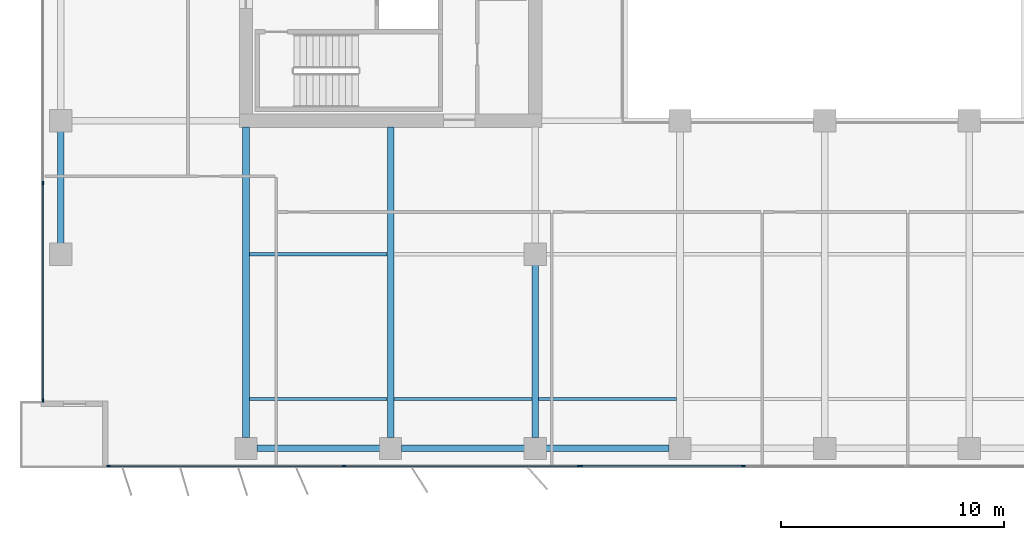
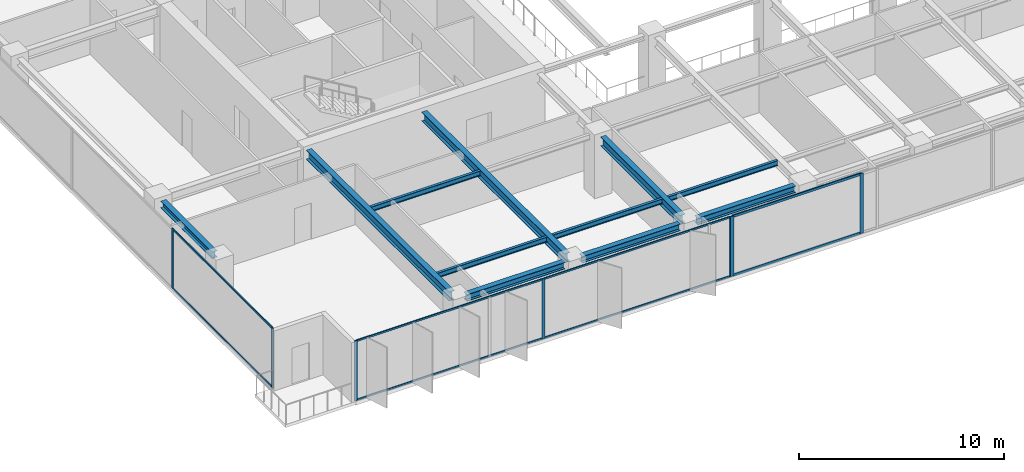
# One storey, part 2 of 22: 15 members, 11 beams, 3 elements without a shape of their own.
"""IFC4 building model written with IfcOpenShell, lengths in metres."""

from ifc_helpers import new_model, si_unit, direction, frame, origin, origin_2d, place, context, subcontext, project, spatial, rectangle, i_section, extrude, material, layer, layer_set, material_profile, profile_set, type_object, element, aggregate, save


model = new_model("IFC4")

# Units and contexts
model_context = context("Model", 3, precision=1e-05, world=origin(), true_north=direction((0.0, 1.0)))
body_context = subcontext(model_context, "Body", "Model", "MODEL_VIEW")
ifc_project = project(units=[si_unit("LENGTHUNIT", "METRE"), si_unit("AREAUNIT", "SQUARE_METRE"), si_unit("VOLUMEUNIT", "CUBIC_METRE"), si_unit("PLANEANGLEUNIT", "RADIAN"), si_unit("MASSUNIT", "GRAM", prefix="KILO")], contexts=[model_context])

# Site, building, storey
site_placement = place(None, origin())
site = spatial("IfcSite", under=ifc_project, at=site_placement, CompositionType="ELEMENT")
building_placement = place(site_placement, origin())
building = spatial("IfcBuilding", under=site, at=building_placement, Name="Putna Gate Headquarters", CompositionType="ELEMENT")
storey_placement = place(building_placement, frame((0.0, 0.0, 167.0)))
storey = spatial("IfcBuildingStorey", under=building, at=storey_placement, Name="L41", CompositionType="ELEMENT", Elevation=167.0)

# Beams
ifc_material_1 = material(Name="Steel S355J2", Category="steel")
ifc_material_profile_1 = material_profile(ifc_material_1, i_section(OverallWidth=0.300048828125, OverallDepth=0.550048828125, WebThickness=0.014892578125, FlangeThickness=0.029052734375, at=origin_2d()), Name="Steel S355J2")
ifc_profile_set_1 = profile_set([ifc_material_profile_1], Name="Steel S355J2")
beam_type_1 = type_object("IfcBeamType", Name="BM-GIRD-Z3-HEB550", PredefinedType="USERDEFINED", material=ifc_profile_set_1)
for number, where, z_axis, x_axis, name in (
    (1, (13.0, 4.76806640625, 3.297119140625), (0.0, 1.0, 0.0), (-1.0, 0.0, 0.0), "L41 South Primary Girder X13"),
    (2, (19.5, 4.76806640625, 3.297119140625), (0.0, 1.0, 0.0), (-1.0, 0.0, 0.0), "L41 South Primary Girder X19"),
):
    element("IfcBeam", number, at=place(storey_placement, frame(where, z_axis=z_axis, x_axis=x_axis)), inside=storey, type_object=beam_type_1, Name=name, ObjectType="GIRDER", PredefinedType="USERDEFINED", context=body_context, shape_type="SweptSolid", body=[
        extrude(i_section(OverallWidth=0.300048828125, OverallDepth=0.550048828125, WebThickness=0.014892578125, FlangeThickness=0.029052734375, at=origin_2d()), origin(), (0.0, 0.0, 1.0), 13.947021484375),
    ])
beam_1_placement = place(storey_placement, frame((26.0, 4.76806640625, 3.297119140625), z_axis=(0.0, 1.0, 0.0), x_axis=(-1.0, 0.0, 0.0)))
element("IfcBeam", 3, at=beam_1_placement, inside=storey, type_object=beam_type_1, Name="L41 South Primary Girder X26-1", ObjectType="GIRDER", PredefinedType="USERDEFINED", context=body_context, shape_type="SweptSolid", body=[
    extrude(i_section(OverallWidth=0.300048828125, OverallDepth=0.550048828125, WebThickness=0.014892578125, FlangeThickness=0.029052734375, at=origin_2d()), origin(), (0.0, 0.0, 1.0), 7.743896484375),
])
ifc_material_profile_2 = material_profile(ifc_material_1, i_section(OverallWidth=0.14990234375, OverallDepth=0.300048828125, WebThickness=0.007080078125, FlangeThickness=0.0107421875, at=origin_2d()), Name="Steel S355J2")
ifc_profile_set_2 = profile_set([ifc_material_profile_2], Name="Steel S355J2")
beam_type_2 = type_object("IfcBeamType", Name="BM-SEC-Z3-IPE300", PredefinedType="JOIST", material=ifc_profile_set_2)
for number, where, z_axis, x_axis, name in (
    (4, (13.154052734375, 6.5, 3.422119140625), (1.0, 0.0, 0.0), (0.0, 1.0, 0.0), "L41 South Secondary Beam 1"),
    (5, (13.154052734375, 13.0, 3.422119140625), (1.0, 0.0, 0.0), (0.0, 1.0, 0.0), "L41 South Secondary Beam 1"),
    (6, (19.654052734375, 6.5, 3.422119140625), (1.0, 0.0, 0.0), (0.0, 1.0, 0.0), "L41 South Secondary Beam 2"),
    (7, (26.154052734375, 6.5, 3.422119140625), (1.0, 0.0, 0.0), (0.0, 1.0, 0.0), "L41 South Secondary Beam 3"),
):
    element("IfcBeam", number, at=place(storey_placement, frame(where, z_axis=z_axis, x_axis=x_axis)), inside=storey, type_object=beam_type_2, Name=name, PredefinedType="JOIST", context=body_context, shape_type="SweptSolid", body=[
        extrude(i_section(OverallWidth=0.14990234375, OverallDepth=0.300048828125, WebThickness=0.007080078125, FlangeThickness=0.0107421875, at=origin_2d()), origin(), (0.0, 0.0, 1.0), 6.19189453125),
    ])
ifc_material_profile_3 = material_profile(ifc_material_1, i_section(OverallWidth=0.300048828125, OverallDepth=0.39990234375, WebThickness=0.013427734375, FlangeThickness=0.02392578125, at=origin_2d()), Name="Steel S355J2")
ifc_profile_set_3 = profile_set([ifc_material_profile_3], Name="Steel S355J2")
beam_type_3 = type_object("IfcBeamType", Name="BM-SPAN-Z3-HEB400", PredefinedType="SPANDREL", material=ifc_profile_set_3)
for number, where, z_axis, x_axis, name in (
    (8, (13.488037109375, 4.280029296875, 3.3720703125), (1.0, 0.0, 0.0), (0.0, 1.0, 0.0), "L41 S Perimeter Spandrel 1"),
    (9, (19.988037109375, 4.280029296875, 3.3720703125), (1.0, 0.0, 0.0), (0.0, 1.0, 0.0), "L41 S Perimeter Spandrel 2"),
    (10, (26.488037109375, 4.280029296875, 3.3720703125), (1.0, 0.0, 0.0), (0.0, 1.0, 0.0), "L41 S Perimeter Spandrel 3"),
):
    element("IfcBeam", number, at=place(storey_placement, frame(where, z_axis=z_axis, x_axis=x_axis)), inside=storey, type_object=beam_type_3, Name=name, PredefinedType="SPANDREL", context=body_context, shape_type="SweptSolid", body=[
        extrude(i_section(OverallWidth=0.300048828125, OverallDepth=0.39990234375, WebThickness=0.013427734375, FlangeThickness=0.02392578125, at=origin_2d()), origin(), (0.0, 0.0, 1.0), 5.52392578125),
    ])
beam_2_placement = place(storey_placement, frame((4.679931640625, 13.488037109375, 3.3720703125), z_axis=(0.0, 1.0, 0.0), x_axis=(-1.0, 0.0, 0.0)))
element("IfcBeam", 11, at=beam_2_placement, inside=storey, type_object=beam_type_3, Name="L41 W End Spandrel 1", PredefinedType="SPANDREL", context=body_context, shape_type="SweptSolid", body=[
    extrude(i_section(OverallWidth=0.300048828125, OverallDepth=0.39990234375, WebThickness=0.013427734375, FlangeThickness=0.02392578125, at=origin_2d()), origin(), (0.0, 0.0, 1.0), 5.02392578125),
])

# Curtain wall, members
ifc_material_2 = material(Name="Anodised bronze aluminium curtain wall", Category="aluminium")
ifc_layer_1 = layer(ifc_material_2, 0.159912109375)
ifc_layer_set_1 = layer_set([ifc_layer_1], Name="Anodised bronze aluminium curtain wall")
curtain_wall_type_1 = type_object("IfcCurtainWallType", Name="CW-SYS-Z3", PredefinedType="USERDEFINED", material=ifc_layer_set_1)
curtain_wall_1_placement = place(storey_placement, origin())
curtain_wall_1 = element("IfcCurtainWall", 12, at=curtain_wall_1_placement, inside=storey, type_object=curtain_wall_type_1, Name="L41 South West Curtain Wall", ObjectType="STICK CURTAIN WALL", PredefinedType="USERDEFINED")
ifc_material_3 = material(Name="Anodised bronze aluminium EN AW-6060", Category="aluminium")
ifc_material_profile_4 = material_profile(ifc_material_3, rectangle(XDim=0.06494140625, YDim=0.159912109375, at=origin_2d()), Name="Anodised bronze aluminium EN AW-6060")
ifc_profile_set_4 = profile_set([ifc_material_profile_4], Name="Anodised bronze aluminium EN AW-6060")
member_type_1 = type_object("IfcMemberType", Name="MULL-CWM-3", PredefinedType="MULLION", material=ifc_profile_set_4)
member_1_placement = place(storey_placement, frame((6.83251953125, 3.47998046875, 0.0), z_axis=(0.0, 0.0, 1.0), x_axis=(0.0, 1.0, 0.0)))
member_1 = element("IfcMember", 13, at=member_1_placement, type_object=member_type_1, Name="CWS-3 mullion 1", PredefinedType="MULLION", context=body_context, shape_type="SweptSolid", body=[
    extrude(rectangle(XDim=0.06494140625, YDim=0.159912109375, at=origin_2d()), origin(), (0.0, 0.0, 1.0), 3.572021484375),
])
member_2_placement = place(storey_placement, frame((17.39990234375, 3.47998046875, 0.0), z_axis=(0.0, 0.0, 1.0), x_axis=(0.0, 1.0, 0.0)))
member_2 = element("IfcMember", 14, at=member_2_placement, type_object=member_type_1, Name="CWS-3 mullion 2", PredefinedType="MULLION", context=body_context, shape_type="SweptSolid", body=[
    extrude(rectangle(XDim=0.06494140625, YDim=0.159912109375, at=origin_2d()), origin(), (0.0, 0.0, 1.0), 3.572021484375),
])
member_3_placement = place(storey_placement, frame((27.967529296875, 3.47998046875, 0.0), z_axis=(0.0, 0.0, 1.0), x_axis=(0.0, 1.0, 0.0)))
member_3 = element("IfcMember", 15, at=member_3_placement, type_object=member_type_1, Name="CWS-3 mullion 3", PredefinedType="MULLION", context=body_context, shape_type="SweptSolid", body=[
    extrude(rectangle(XDim=0.06494140625, YDim=0.159912109375, at=origin_2d()), origin(), (0.0, 0.0, 1.0), 3.572021484375),
])

curtain_wall_2_placement = place(storey_placement, origin())
curtain_wall_2 = element("IfcCurtainWall", 16, at=curtain_wall_2_placement, inside=storey, type_object=curtain_wall_type_1, Name="L41 West Curtain Wall", ObjectType="STICK CURTAIN WALL", PredefinedType="USERDEFINED")
member_4_placement = place(storey_placement, frame((3.8798828125, 6.4326171875, 0.0), z_axis=(0.0, 0.0, 1.0), x_axis=(-1.0, 0.0, 0.0)))
member_4 = element("IfcMember", 17, at=member_4_placement, type_object=member_type_1, Name="CWS-3 mullion 1", PredefinedType="MULLION", context=body_context, shape_type="SweptSolid", body=[
    extrude(rectangle(XDim=0.06494140625, YDim=0.159912109375, at=origin_2d()), origin(), (0.0, 0.0, 1.0), 3.572021484375),
])
member_5_placement = place(storey_placement, frame((3.8798828125, 16.199951171875, 0.0), z_axis=(0.0, 0.0, 1.0), x_axis=(-1.0, 0.0, 0.0)))
member_5 = element("IfcMember", 18, at=member_5_placement, type_object=member_type_1, Name="CWS-3 mullion 2", PredefinedType="MULLION", context=body_context, shape_type="SweptSolid", body=[
    extrude(rectangle(XDim=0.06494140625, YDim=0.159912109375, at=origin_2d()), origin(), (0.0, 0.0, 1.0), 3.572021484375),
])

ifc_layer_2 = layer(ifc_material_2, 0.179931640625)
ifc_layer_set_2 = layer_set([ifc_layer_2], Name="Anodised bronze aluminium curtain wall")
curtain_wall_type_2 = type_object("IfcCurtainWallType", Name="CW-SYS-ATR", PredefinedType="USERDEFINED", material=ifc_layer_set_2)
curtain_wall_3_placement = place(storey_placement, origin())
curtain_wall_3 = element("IfcCurtainWall", 19, at=curtain_wall_3_placement, inside=storey, type_object=curtain_wall_type_2, Name="L41 South Atrium Clear Glazing", ObjectType="ATRIUM GLAZING", PredefinedType="USERDEFINED")
ifc_material_profile_5 = material_profile(ifc_material_3, rectangle(XDim=0.070068359375, YDim=0.179931640625, at=origin_2d()), Name="Anodised bronze aluminium EN AW-6060")
ifc_profile_set_5 = profile_set([ifc_material_profile_5], Name="Anodised bronze aluminium EN AW-6060")
member_type_2 = type_object("IfcMemberType", Name="MULL-CWM-AT", PredefinedType="MULLION", material=ifc_profile_set_5)
member_6_placement = place(storey_placement, frame((28.034912109375, 3.47998046875, 0.0), z_axis=(0.0, 0.0, 1.0), x_axis=(0.0, 1.0, 0.0)))
member_6 = element("IfcMember", 20, at=member_6_placement, type_object=member_type_2, Name="CWS-AT mullion 1", PredefinedType="MULLION", context=body_context, shape_type="SweptSolid", body=[
    extrude(rectangle(XDim=0.070068359375, YDim=0.179931640625, at=origin_2d()), origin(), (0.0, 0.0, 1.0), 3.572021484375),
])
member_7_placement = place(storey_placement, frame((35.333251953125, 3.47998046875, 0.0), z_axis=(0.0, 0.0, 1.0), x_axis=(0.0, 1.0, 0.0)))
member_7 = element("IfcMember", 21, at=member_7_placement, type_object=member_type_2, Name="CWS-AT mullion 2", PredefinedType="MULLION", context=body_context, shape_type="SweptSolid", body=[
    extrude(rectangle(XDim=0.070068359375, YDim=0.179931640625, at=origin_2d()), origin(), (0.0, 0.0, 1.0), 3.572021484375),
])

# Member
ifc_material_profile_6 = material_profile(ifc_material_3, rectangle(XDim=0.06005859375, YDim=0.10009765625, at=origin_2d()), Name="Anodised bronze aluminium EN AW-6060")
ifc_profile_set_6 = profile_set([ifc_material_profile_6], Name="Anodised bronze aluminium EN AW-6060")
member_type_3 = type_object("IfcMemberType", Name="TRAN-CWT-3", PredefinedType="USERDEFINED", material=ifc_profile_set_6)
member_8_placement = place(storey_placement, frame((6.864990234375, 3.47998046875, 0.030029296875), z_axis=(1.0, 0.0, 0.0), x_axis=(0.0, 1.0, 0.0)))
member_8 = element("IfcMember", 22, at=member_8_placement, type_object=member_type_3, Name="CWS-3 transom 1.1", ObjectType="TRANSOM", PredefinedType="USERDEFINED", context=body_context, shape_type="SweptSolid", body=[
    extrude(rectangle(XDim=0.06005859375, YDim=0.10009765625, at=origin_2d()), origin(), (0.0, 0.0, 1.0), 10.50244140625),
])

member_9_placement = place(storey_placement, frame((6.864990234375, 3.47998046875, 3.5419921875), z_axis=(1.0, 0.0, 0.0), x_axis=(0.0, 1.0, 0.0)))
member_9 = element("IfcMember", 23, at=member_9_placement, type_object=member_type_3, Name="CWS-3 transom 1.2", ObjectType="TRANSOM", PredefinedType="USERDEFINED", context=body_context, shape_type="SweptSolid", body=[
    extrude(rectangle(XDim=0.06005859375, YDim=0.10009765625, at=origin_2d()), origin(), (0.0, 0.0, 1.0), 10.50244140625),
])

member_10_placement = place(storey_placement, frame((17.4326171875, 3.47998046875, 0.030029296875), z_axis=(1.0, 0.0, 0.0), x_axis=(0.0, 1.0, 0.0)))
member_10 = element("IfcMember", 24, at=member_10_placement, type_object=member_type_3, Name="CWS-3 transom 2.1", ObjectType="TRANSOM", PredefinedType="USERDEFINED", context=body_context, shape_type="SweptSolid", body=[
    extrude(rectangle(XDim=0.06005859375, YDim=0.10009765625, at=origin_2d()), origin(), (0.0, 0.0, 1.0), 10.50244140625),
])

member_11_placement = place(storey_placement, frame((17.4326171875, 3.47998046875, 3.5419921875), z_axis=(1.0, 0.0, 0.0), x_axis=(0.0, 1.0, 0.0)))
member_11 = element("IfcMember", 25, at=member_11_placement, type_object=member_type_3, Name="CWS-3 transom 2.2", ObjectType="TRANSOM", PredefinedType="USERDEFINED", context=body_context, shape_type="SweptSolid", body=[
    extrude(rectangle(XDim=0.06005859375, YDim=0.10009765625, at=origin_2d()), origin(), (0.0, 0.0, 1.0), 10.50244140625),
])

aggregate(curtain_wall_1, [member_1, member_2, member_3, member_8, member_9, member_10, member_11])

member_12_placement = place(storey_placement, frame((3.8798828125, 6.465087890625, 0.030029296875), z_axis=(0.0, 1.0, 0.0), x_axis=(-1.0, 0.0, 0.0)))
member_12 = element("IfcMember", 26, at=member_12_placement, type_object=member_type_3, Name="CWS-3 transom 1.1", ObjectType="TRANSOM", PredefinedType="USERDEFINED", context=body_context, shape_type="SweptSolid", body=[
    extrude(rectangle(XDim=0.06005859375, YDim=0.10009765625, at=origin_2d()), origin(), (0.0, 0.0, 1.0), 9.702392578125),
])

member_13_placement = place(storey_placement, frame((3.8798828125, 6.465087890625, 3.5419921875), z_axis=(0.0, 1.0, 0.0), x_axis=(-1.0, 0.0, 0.0)))
member_13 = element("IfcMember", 27, at=member_13_placement, type_object=member_type_3, Name="CWS-3 transom 1.2", ObjectType="TRANSOM", PredefinedType="USERDEFINED", context=body_context, shape_type="SweptSolid", body=[
    extrude(rectangle(XDim=0.06005859375, YDim=0.10009765625, at=origin_2d()), origin(), (0.0, 0.0, 1.0), 9.702392578125),
])

aggregate(curtain_wall_2, [member_4, member_5, member_12, member_13])

ifc_material_profile_7 = material_profile(ifc_material_3, rectangle(XDim=0.070068359375, YDim=0.139892578125, at=origin_2d()), Name="Anodised bronze aluminium EN AW-6060")
ifc_profile_set_7 = profile_set([ifc_material_profile_7], Name="Anodised bronze aluminium EN AW-6060")
member_type_4 = type_object("IfcMemberType", Name="TRAN-CWT-AT", PredefinedType="USERDEFINED", material=ifc_profile_set_7)
member_14_placement = place(storey_placement, frame((28.070068359375, 3.47998046875, 0.034912109375), z_axis=(1.0, 0.0, 0.0), x_axis=(0.0, 1.0, 0.0)))
member_14 = element("IfcMember", 28, at=member_14_placement, type_object=member_type_4, Name="CWS-AT transom 1.1", ObjectType="TRANSOM", PredefinedType="USERDEFINED", context=body_context, shape_type="SweptSolid", body=[
    extrude(rectangle(XDim=0.070068359375, YDim=0.139892578125, at=origin_2d()), origin(), (0.0, 0.0, 1.0), 7.228271484375),
])

member_15_placement = place(storey_placement, frame((28.070068359375, 3.47998046875, 3.537109375), z_axis=(1.0, 0.0, 0.0), x_axis=(0.0, 1.0, 0.0)))
member_15 = element("IfcMember", 29, at=member_15_placement, type_object=member_type_4, Name="CWS-AT transom 1.2", ObjectType="TRANSOM", PredefinedType="USERDEFINED", context=body_context, shape_type="SweptSolid", body=[
    extrude(rectangle(XDim=0.070068359375, YDim=0.139892578125, at=origin_2d()), origin(), (0.0, 0.0, 1.0), 7.228271484375),
])

aggregate(curtain_wall_3, [member_6, member_7, member_14, member_15])

save(model, "model.ifc")
